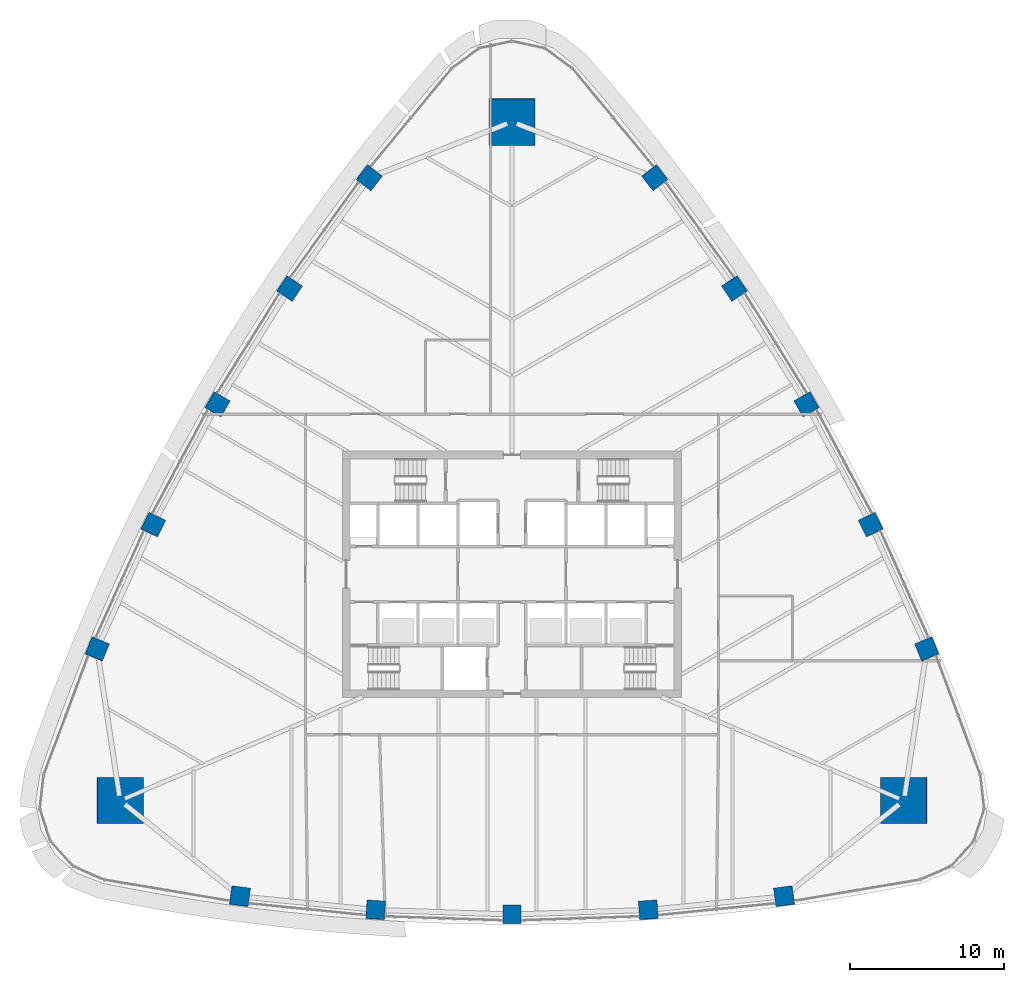
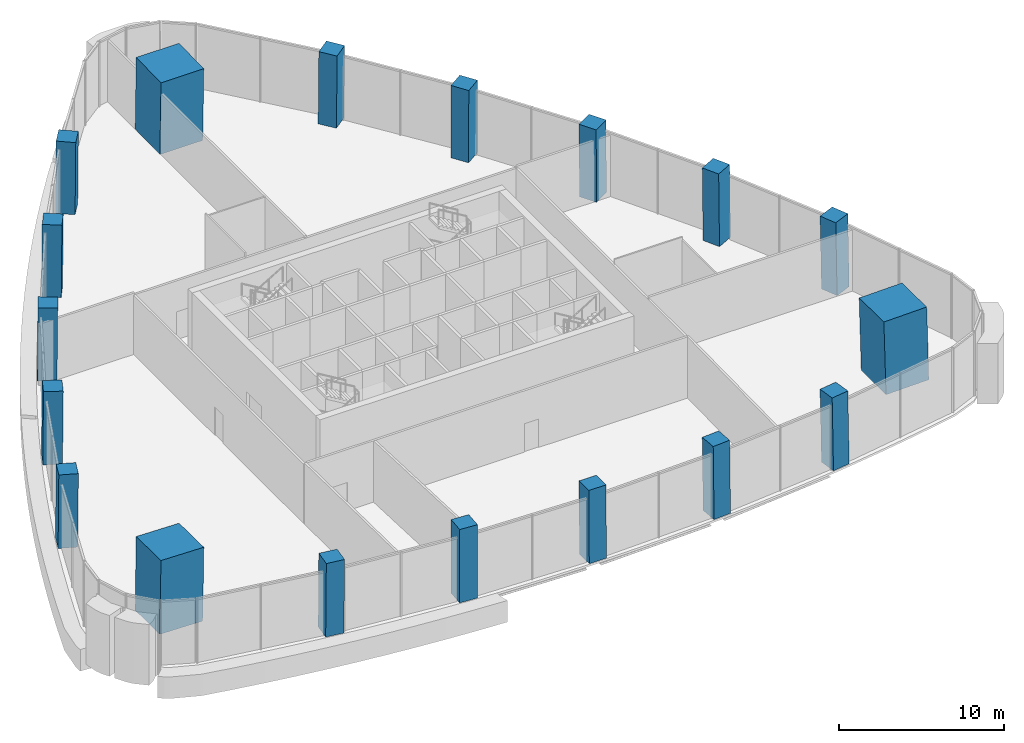
# One storey, part 1 of 16: 18 columns.
"""IFC4 building model written with IfcOpenShell, lengths in metres."""

from ifc_helpers import new_model, si_unit, direction, frame, origin, origin_2d, place, context, subcontext, project, spatial, rectangle, extrude, clip, halfspace, material, material_profile, profile_set, type_object, element, save


model = new_model("IFC4")

# Units and contexts
model_context = context("Model", 3, precision=1e-05, world=origin(), true_north=direction((0.0, 1.0)))
body_context = subcontext(model_context, "Body", "Model", "MODEL_VIEW")
ifc_project = project(units=[si_unit("LENGTHUNIT", "METRE"), si_unit("AREAUNIT", "SQUARE_METRE"), si_unit("VOLUMEUNIT", "CUBIC_METRE"), si_unit("PLANEANGLEUNIT", "RADIAN"), si_unit("MASSUNIT", "GRAM", prefix="KILO")], contexts=[model_context])

# Site, building, storey
site_placement = place(None, origin())
site = spatial("IfcSite", under=ifc_project, at=site_placement, CompositionType="ELEMENT")
building_placement = place(site_placement, origin())
building = spatial("IfcBuilding", under=site, at=building_placement, Name="Sierra Prisma Convention Tower", CompositionType="ELEMENT")
storey_placement = place(building_placement, frame((0.0, 0.0, 107.199951171875)))
storey = spatial("IfcBuildingStorey", under=building, at=storey_placement, Name="L23", CompositionType="ELEMENT", Elevation=107.199951171875)

# Columns
ifc_material_1 = material(Name="Concrete C60/75", Category="concrete")
ifc_material_profile_1 = material_profile(ifc_material_1, rectangle(XDim=3.0, YDim=3.0, at=origin_2d()), Name="Mega column RC 3000 C60/75")
ifc_profile_set_1 = profile_set([ifc_material_profile_1], Name="Concrete C60/75")
column_type_1 = type_object("IfcColumnType", Name="Mega column RC 3000 C60/75", PredefinedType="COLUMN", material=ifc_profile_set_1)
column_1_placement = place(storey_placement, frame((25.433837890625, -14.68408203125, 0.0), z_axis=(-0.020880956331, 0.012022368797, 0.999709682013), x_axis=(0.999781969063, 0.000251093304, 0.020879446579)))
element("IfcColumn", 1, at=column_1_placement, inside=storey, type_object=column_type_1, Name="Mega column SE L23", PredefinedType="COLUMN", context=body_context, shape_type="SweptSolid", body=[
    clip(clip(extrude(rectangle(XDim=3.0, YDim=3.0, at=origin_2d()), origin(), (0.0, 0.0, 1.0), 5.401611328125), halfspace(frame((0.0, 0.0, 0.01171875)), True)), halfspace(frame((0.0, 0.0, 5.39892578125)), False)),
])
column_2_placement = place(storey_placement, frame((0.0, 29.368408203125, 0.0), z_axis=(0.0, -0.0240899372, 0.999709795353), x_axis=(1.0, 0.0, 0.0)))
element("IfcColumn", 2, at=column_2_placement, inside=storey, type_object=column_type_1, Name="Mega column N L23", PredefinedType="COLUMN", context=body_context, shape_type="SweptSolid", body=[
    clip(clip(extrude(rectangle(XDim=3.0, YDim=3.0, at=origin_2d()), origin(), (0.0, 0.0, 1.0), 5.401611328125), halfspace(frame((0.0, 0.0, 0.008544921875)), True)), halfspace(frame((0.0, 0.0, 5.399658203125)), False)),
])
column_3_placement = place(storey_placement, frame((-25.433837890625, -14.68408203125, 0.0), z_axis=(0.020880956331, 0.012022368797, 0.999709682013), x_axis=(0.999781969063, -0.000251093304, -0.020879446579)))
element("IfcColumn", 3, at=column_3_placement, inside=storey, type_object=column_type_1, Name="Mega column SW L23", PredefinedType="COLUMN", context=body_context, shape_type="SweptSolid", body=[
    clip(clip(extrude(rectangle(XDim=3.0, YDim=3.0, at=origin_2d()), origin(), (0.0, 0.0, 1.0), 5.401611328125), halfspace(frame((0.0, 0.0, 0.01171875)), True)), halfspace(frame((0.0, 0.0, 5.39892578125)), False)),
])
ifc_material_2 = material(Name="Concrete C60/75", Category="concrete")
ifc_material_profile_2 = material_profile(ifc_material_2, rectangle(XDim=1.199951171875, YDim=1.199951171875, at=origin_2d()), Name="Perimeter column RC 1200 C60/75")
ifc_profile_set_2 = profile_set([ifc_material_profile_2], Name="Concrete C60/75")
column_type_2 = type_object("IfcColumnType", Name="Perimeter column RC 1200 C60/75", PredefinedType="COLUMN", material=ifc_profile_set_2)
column_4_placement = place(storey_placement, frame((-17.662109375, -20.893310546875, 0.0), z_axis=(0.013154574087, 0.007775212175, 0.999883244812), x_axis=(-0.991031175757, 0.133090691637, 0.012003186093)))
element("IfcColumn", 4, at=column_4_placement, inside=storey, type_object=column_type_2, Name="Perimeter column S-1 L23", PredefinedType="COLUMN", context=body_context, shape_type="SweptSolid", body=[
    clip(clip(extrude(rectangle(XDim=1.199951171875, YDim=1.199951171875, at=origin_2d()), origin(), (0.0, 0.0, 1.0), 5.40087890625), halfspace(frame((0.0, 0.0, 0.003173828125)), True)), halfspace(frame((0.0, 0.0, 5.3974609375)), False)),
])
column_5_placement = place(storey_placement, frame((-8.8505859375, -21.777587890625, 0.0), z_axis=(0.00655508488, 0.008272969194, 0.99994429287), x_axis=(-0.997755324647, 0.066696663448, 0.005988925027)))
element("IfcColumn", 5, at=column_5_placement, inside=storey, type_object=column_type_2, Name="Perimeter column S-2 L23", PredefinedType="COLUMN", context=body_context, shape_type="SweptSolid", body=[
    clip(clip(extrude(rectangle(XDim=1.199951171875, YDim=1.199951171875, at=origin_2d()), origin(), (0.0, 0.0, 1.0), 5.400390625), halfspace(frame((0.0, 0.0, 0.002197265625)), True)), halfspace(frame((0.0, 0.0, 5.397216796875)), False)),
])
column_6_placement = place(storey_placement, frame((0.0, -22.072998046875, 0.0), z_axis=(0.0, 0.008499173095, 0.999963881376), x_axis=(1.0, 0.0, 0.0)))
element("IfcColumn", 6, at=column_6_placement, inside=storey, type_object=column_type_2, Name="Perimeter column S-3 L23", PredefinedType="COLUMN", context=body_context, shape_type="SweptSolid", body=[
    clip(clip(extrude(rectangle(XDim=1.199951171875, YDim=1.199951171875, at=origin_2d()), origin(), (0.0, 0.0, 1.0), 5.400390625), halfspace(frame((0.0, 0.0, 0.00146484375)), True)), halfspace(frame((0.0, 0.0, 5.397216796875)), False)),
])
column_7_placement = place(storey_placement, frame((8.8505859375, -21.777587890625, 0.0), z_axis=(-0.00655508488, 0.008272969194, 0.99994429287), x_axis=(0.997755324647, 0.066696663448, 0.005988925027)))
element("IfcColumn", 7, at=column_7_placement, inside=storey, type_object=column_type_2, Name="Perimeter column S-4 L23", PredefinedType="COLUMN", context=body_context, shape_type="SweptSolid", body=[
    clip(clip(extrude(rectangle(XDim=1.199951171875, YDim=1.199951171875, at=origin_2d()), origin(), (0.0, 0.0, 1.0), 5.400390625), halfspace(frame((0.0, 0.0, 0.002197265625)), True)), halfspace(frame((0.0, 0.0, 5.397216796875)), False)),
])
column_8_placement = place(storey_placement, frame((17.662109375, -20.893310546875, 0.0), z_axis=(-0.013154574087, 0.007775212175, 0.999883244812), x_axis=(0.991031175757, 0.133090691637, 0.012003186093)))
element("IfcColumn", 8, at=column_8_placement, inside=storey, type_object=column_type_2, Name="Perimeter column S-5 L23", PredefinedType="COLUMN", context=body_context, shape_type="SweptSolid", body=[
    clip(clip(extrude(rectangle(XDim=1.199951171875, YDim=1.199951171875, at=origin_2d()), origin(), (0.0, 0.0, 1.0), 5.40087890625), halfspace(frame((0.0, 0.0, 0.003173828125)), True)), halfspace(frame((0.0, 0.0, 5.3974609375)), False)),
])
column_9_placement = place(storey_placement, frame((26.925048828125, -4.84912109375, 0.0), z_axis=(-0.01329019196, 0.007503985937, 0.999883523713), x_axis=(-0.380349266777, 0.924765125623, -0.011995736484)))
element("IfcColumn", 9, at=column_9_placement, inside=storey, type_object=column_type_2, Name="Perimeter column NE-1 L23", PredefinedType="COLUMN", context=body_context, shape_type="SweptSolid", body=[
    clip(clip(extrude(rectangle(XDim=1.199951171875, YDim=1.199951171875, at=origin_2d()), origin(), (0.0, 0.0, 1.0), 5.40087890625), halfspace(frame((0.0, 0.0, 0.00341796875)), True)), halfspace(frame((0.0, 0.0, 5.3974609375)), False)),
])
column_10_placement = place(storey_placement, frame((23.285400390625, 3.223876953125, 0.0), z_axis=(-0.010488130075, 0.001582261003, 0.999943746207), x_axis=(-0.441147996554, 0.897413994602, -0.006047100909)))
element("IfcColumn", 10, at=column_10_placement, inside=storey, type_object=column_type_2, Name="Perimeter column NE-2 L23", PredefinedType="COLUMN", context=body_context, shape_type="SweptSolid", body=[
    clip(clip(extrude(rectangle(XDim=1.199951171875, YDim=1.199951171875, at=origin_2d()), origin(), (0.0, 0.0, 1.0), 5.400390625), halfspace(frame((0.0, 0.0, 0.002197265625)), True)), halfspace(frame((0.0, 0.0, 5.397216796875)), False)),
])
column_11_placement = place(storey_placement, frame((19.11572265625, 11.036376953125, 0.0), z_axis=(-0.007323758915, -0.004204380118, 0.999964342236), x_axis=(-0.499986590459, 0.866033145402, -2.0649448e-05)))
element("IfcColumn", 11, at=column_11_placement, inside=storey, type_object=column_type_2, Name="Perimeter column NE-3 L23", PredefinedType="COLUMN", context=body_context, shape_type="SweptSolid", body=[
    clip(clip(extrude(rectangle(XDim=1.199951171875, YDim=1.199951171875, at=origin_2d()), origin(), (0.0, 0.0, 1.0), 5.400390625), halfspace(frame((0.0, 0.0, 0.00146484375)), True)), halfspace(frame((0.0, 0.0, 5.397216796875)), False)),
])
column_12_placement = place(storey_placement, frame((14.4345703125, 18.5537109375, 0.0), z_axis=(-0.003887841833, -0.009855226973, 0.999943878019), x_axis=(-0.556600293151, 0.83075858645, 0.006023678586)))
element("IfcColumn", 12, at=column_12_placement, inside=storey, type_object=column_type_2, Name="Perimeter column NE-4 L23", PredefinedType="COLUMN", context=body_context, shape_type="SweptSolid", body=[
    clip(clip(extrude(rectangle(XDim=1.199951171875, YDim=1.199951171875, at=origin_2d()), origin(), (0.0, 0.0, 1.0), 5.400390625), halfspace(frame((0.0, 0.0, 0.002197265625)), True)), halfspace(frame((0.0, 0.0, 5.397216796875)), False)),
])
for number, where, z_axis, x_axis, name in (
    (13, (9.262939453125, 25.742431640625, 0.0), (-0.000135614168, -0.015279196206, 0.999883257072), (-0.610734065064, 0.791744606755, 0.01201579976), "Perimeter column NE-5 L23"),
    (14, (-9.262939453125, 25.742431640625, 0.0), (0.000135614168, -0.015279196206, 0.999883257072), (0.610734065064, 0.791744606755, 0.01201579976), "Perimeter column NW-1 L23"),
):
    element("IfcColumn", number, at=place(storey_placement, frame(where, z_axis=z_axis, x_axis=x_axis)), inside=storey, type_object=column_type_2, Name=name, PredefinedType="COLUMN", context=body_context, shape_type="SweptSolid", body=[
        clip(clip(extrude(rectangle(XDim=1.199951171875, YDim=1.199951171875, at=origin_2d()), origin(), (0.0, 0.0, 1.0), 5.40087890625), halfspace(frame((0.0, 0.0, 0.003173828125)), True)), halfspace(frame((0.0, 0.0, 5.397216796875)), False)),
    ])
column_13_placement = place(storey_placement, frame((-14.4345703125, 18.5537109375, 0.0), z_axis=(0.003887841833, -0.009855226973, 0.999943878019), x_axis=(0.556600293151, 0.83075858645, 0.006023678586)))
element("IfcColumn", 15, at=column_13_placement, inside=storey, type_object=column_type_2, Name="Perimeter column NW-2 L23", PredefinedType="COLUMN", context=body_context, shape_type="SweptSolid", body=[
    clip(clip(extrude(rectangle(XDim=1.199951171875, YDim=1.199951171875, at=origin_2d()), origin(), (0.0, 0.0, 1.0), 5.400390625), halfspace(frame((0.0, 0.0, 0.002197265625)), True)), halfspace(frame((0.0, 0.0, 5.397216796875)), False)),
])
column_14_placement = place(storey_placement, frame((-19.11572265625, 11.036376953125, 0.0), z_axis=(0.007323758915, -0.004204380118, 0.999964342236), x_axis=(0.499986590459, 0.866033145402, -2.0649448e-05)))
element("IfcColumn", 16, at=column_14_placement, inside=storey, type_object=column_type_2, Name="Perimeter column NW-3 L23", PredefinedType="COLUMN", context=body_context, shape_type="SweptSolid", body=[
    clip(clip(extrude(rectangle(XDim=1.199951171875, YDim=1.199951171875, at=origin_2d()), origin(), (0.0, 0.0, 1.0), 5.400390625), halfspace(frame((0.0, 0.0, 0.00146484375)), True)), halfspace(frame((0.0, 0.0, 5.397216796875)), False)),
])
column_15_placement = place(storey_placement, frame((-23.285400390625, 3.223876953125, 0.0), z_axis=(0.010488130075, 0.001582261003, 0.999943746207), x_axis=(0.441147996554, 0.897413994602, -0.006047100909)))
element("IfcColumn", 17, at=column_15_placement, inside=storey, type_object=column_type_2, Name="Perimeter column NW-4 L23", PredefinedType="COLUMN", context=body_context, shape_type="SweptSolid", body=[
    clip(clip(extrude(rectangle(XDim=1.199951171875, YDim=1.199951171875, at=origin_2d()), origin(), (0.0, 0.0, 1.0), 5.400390625), halfspace(frame((0.0, 0.0, 0.002197265625)), True)), halfspace(frame((0.0, 0.0, 5.397216796875)), False)),
])
column_16_placement = place(storey_placement, frame((-26.925048828125, -4.84912109375, 0.0), z_axis=(0.01329019196, 0.007503985937, 0.999883523713), x_axis=(0.380349266777, 0.924765125623, -0.011995736484)))
element("IfcColumn", 18, at=column_16_placement, inside=storey, type_object=column_type_2, Name="Perimeter column NW-5 L23", PredefinedType="COLUMN", context=body_context, shape_type="SweptSolid", body=[
    clip(clip(extrude(rectangle(XDim=1.199951171875, YDim=1.199951171875, at=origin_2d()), origin(), (0.0, 0.0, 1.0), 5.40087890625), halfspace(frame((0.0, 0.0, 0.00341796875)), True)), halfspace(frame((0.0, 0.0, 5.3974609375)), False)),
])

save(model, "model.ifc")
